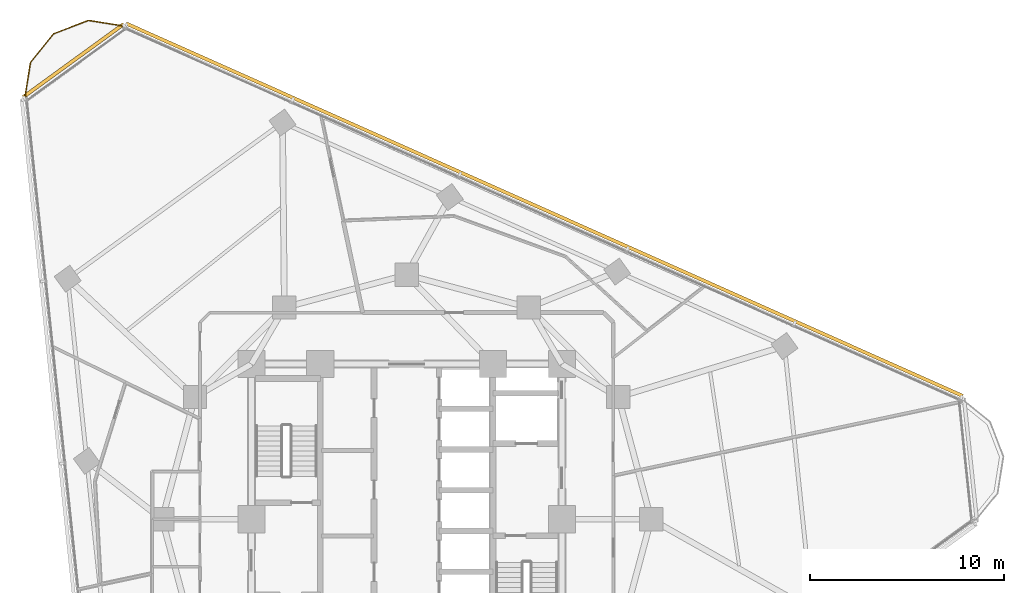
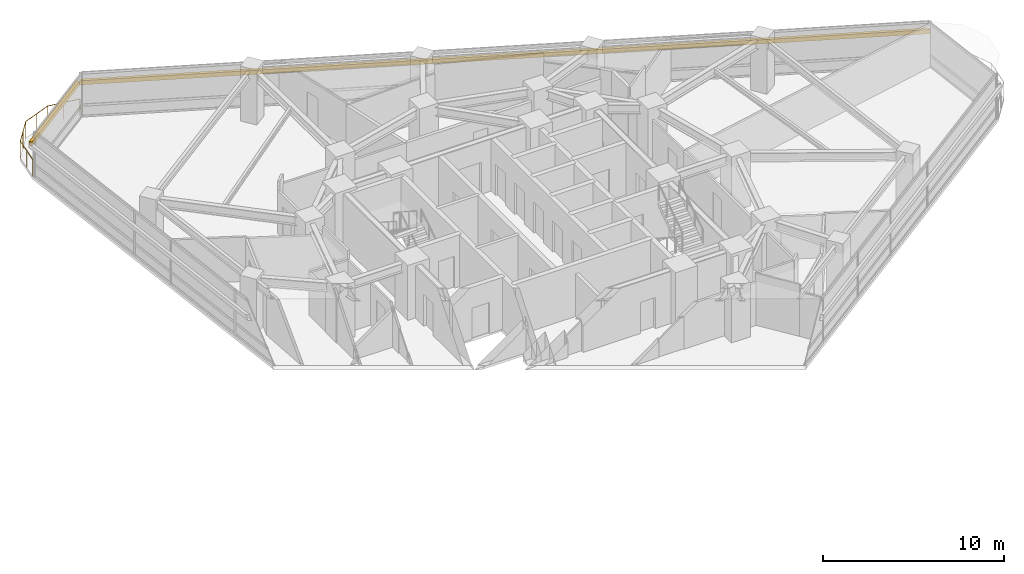
# One storey, part 14 of 14: 2 shading devices, 1 railing.
"""IFC4 building model written with IfcOpenShell, lengths in metres."""

from ifc_helpers import new_model, si_unit, direction, frame, origin, origin_2d, place, context, subcontext, project, spatial, rectangle, circle, extrude, material, layer, layer_set, type_object, element, save


model = new_model("IFC4")

# Units and contexts
model_context = context("Model", 3, precision=1e-05, world=origin(), true_north=direction((0.0, 1.0)))
body_context = subcontext(model_context, "Body", "Model", "MODEL_VIEW")
ifc_project = project(units=[si_unit("LENGTHUNIT", "METRE"), si_unit("AREAUNIT", "SQUARE_METRE"), si_unit("VOLUMEUNIT", "CUBIC_METRE"), si_unit("PLANEANGLEUNIT", "RADIAN"), si_unit("MASSUNIT", "GRAM", prefix="KILO")], contexts=[model_context])

# Site, building, storey
site_placement = place(None, origin())
site = spatial("IfcSite", under=ifc_project, at=site_placement, CompositionType="ELEMENT")
building_placement = place(site_placement, origin())
building = spatial("IfcBuilding", under=site, at=building_placement, Name="Terralouvre Media Tower", CompositionType="ELEMENT")
storey_placement = place(building_placement, frame((0.0, 0.0, 165.699951171875)))
storey = spatial("IfcBuildingStorey", under=building, at=storey_placement, Name="L42", CompositionType="ELEMENT", Elevation=165.699951171875)

# Railing
ifc_material_1 = material(Name="Stainless steel 316 handrail and balustrade", Category="steel")
ifc_layer = layer(ifc_material_1, 0.06005859375, Name="Roof Edge Safety Guardrail GR-ROOF1")
ifc_layer_set = layer_set([ifc_layer], Name="Stainless steel 316 handrail and balustrade")
railing_type = type_object("IfcRailingType", Name="Roof Edge Safety Guardrail GR-ROOF1", PredefinedType="GUARDRAIL", material=ifc_layer_set)
railing_placement = place(storey_placement, frame((-14.50537109375, 25.41357421875, 0.0)))
element("IfcRailing", 1, at=railing_placement, inside=storey, type_object=railing_type, Name="L42 Wind-Corner Perimeter Safety Guardrail C2", PredefinedType="GUARDRAIL", context=body_context, shape_type="SweptSolid", body=[
    extrude(circle(Radius=0.02099609375, at=origin_2d()), frame((0.0, 0.0, 1.12890625), z_axis=(-0.987645867018, 0.156702397439, 0.0), x_axis=(-0.156702397439, -0.987645867018, 0.0)), (0.0, 0.0, 1.0), 1.914794921875),
    extrude(circle(Radius=0.02099609375, at=origin_2d()), frame((-1.89111328125, 0.300048828125, 1.12890625), z_axis=(-0.933575508152, -0.358380762009, 0.0), x_axis=(0.358380762009, -0.933575508152, 0.0)), (0.0, 0.0, 1.0), 1.914306640625),
    extrude(circle(Radius=0.02099609375, at=origin_2d()), frame((-3.67822265625, -0.385986328125, 1.12890625), z_axis=(-0.629256927844, -0.777197348658, 0.0), x_axis=(0.777197348658, -0.629256927844, 0.0)), (0.0, 0.0, 1.0), 1.914306640625),
    extrude(circle(Radius=0.02099609375, at=origin_2d()), frame((-4.8828125, -1.873779296875, 1.12890625), z_axis=(-0.156204845685, -0.987724681369, 0.0), x_axis=(0.987724681369, -0.156204845685, 0.0)), (0.0, 0.0, 1.0), 1.91455078125),
    extrude(circle(Radius=0.01904296875, at=origin_2d()), origin(), (0.0, 0.0, 1.0), 1.10791015625),
    extrude(circle(Radius=0.01904296875, at=origin_2d()), frame((-0.945556640625, 0.14990234375, 0.0)), (0.0, 0.0, 1.0), 1.10791015625),
    extrude(circle(Radius=0.01904296875, at=origin_2d()), frame((-1.89111328125, 0.300048828125, 0.0)), (0.0, 0.0, 1.0), 1.10791015625),
    extrude(circle(Radius=0.01904296875, at=origin_2d()), frame((-2.78466796875, -0.04296875, 0.0)), (0.0, 0.0, 1.0), 1.10791015625),
    extrude(circle(Radius=0.01904296875, at=origin_2d()), frame((-3.67822265625, -0.385986328125, 0.0)), (0.0, 0.0, 1.0), 1.10791015625),
    extrude(circle(Radius=0.01904296875, at=origin_2d()), frame((-4.280517578125, -1.1298828125, 0.0)), (0.0, 0.0, 1.0), 1.10791015625),
    extrude(circle(Radius=0.01904296875, at=origin_2d()), frame((-4.8828125, -1.873779296875, 0.0)), (0.0, 0.0, 1.0), 1.10791015625),
    extrude(circle(Radius=0.01904296875, at=origin_2d()), frame((-5.0322265625, -2.8193359375, 0.0)), (0.0, 0.0, 1.0), 1.10791015625),
    extrude(circle(Radius=0.01904296875, at=origin_2d()), frame((-5.181884765625, -3.764892578125, 0.0)), (0.0, 0.0, 1.0), 1.10791015625),
])

# Shading devices
ifc_material_2 = material(Name="Extruded terracotta baguette sunshade louvres", Category="masonry")
shading_device_type = type_object("IfcShadingDeviceType", Name="Terracotta Baguette Sunshade Louvre Screen TB-LV1", PredefinedType="USERDEFINED", material=ifc_material_2)
shading_device_1_placement = place(storey_placement, frame((7.103759765625, 15.95556640625, 2.02392578125), z_axis=(0.0, 0.0, 1.0), x_axis=(-0.913545469547, 0.406736616337, 0.0)))
element("IfcShadingDevice", 2, at=shading_device_1_placement, inside=storey, type_object=shading_device_type, Name="CW-L42-F1 Terracotta Baguette Sunshade Louvre", ObjectType="BAGUETTE", PredefinedType="USERDEFINED", context=body_context, shape_type="SweptSolid", body=[
    extrude(rectangle(XDim=47.199951171875, YDim=0.179931640625, at=origin_2d()), origin(), (0.0, 0.0, 1.0), 0.280029296875),
])
shading_device_2_placement = place(storey_placement, frame((-17.175537109375, 23.64013671875, 2.02392578125), z_axis=(0.0, 0.0, 1.0), x_axis=(-0.809017438344, -0.587784641221, 0.0)))
element("IfcShadingDevice", 3, at=shading_device_2_placement, inside=storey, type_object=shading_device_type, Name="CW-L42-C2 Terracotta Baguette Sunshade Louvre", ObjectType="BAGUETTE", PredefinedType="USERDEFINED", context=body_context, shape_type="SweptSolid", body=[
    extrude(rectangle(XDim=6.40869140625, YDim=0.179931640625, at=origin_2d()), origin(), (0.0, 0.0, 1.0), 0.280029296875),
])

save(model, "model.ifc")
